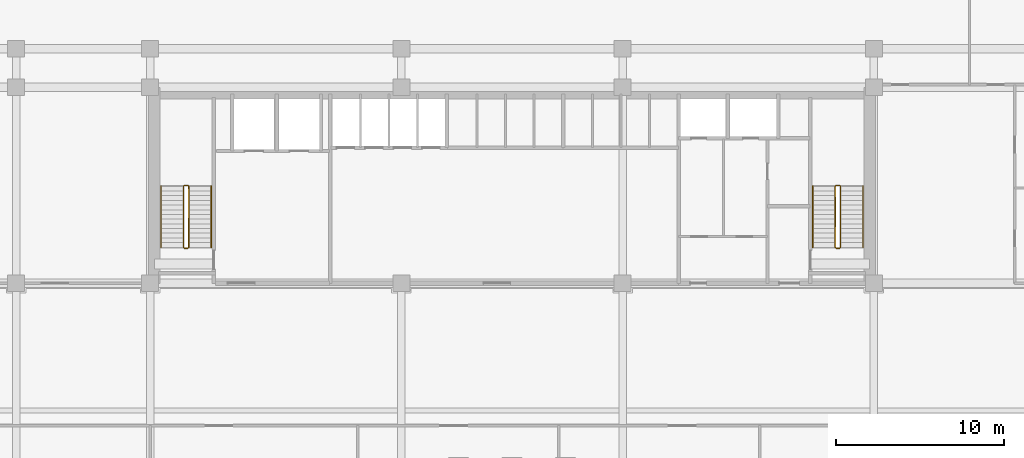
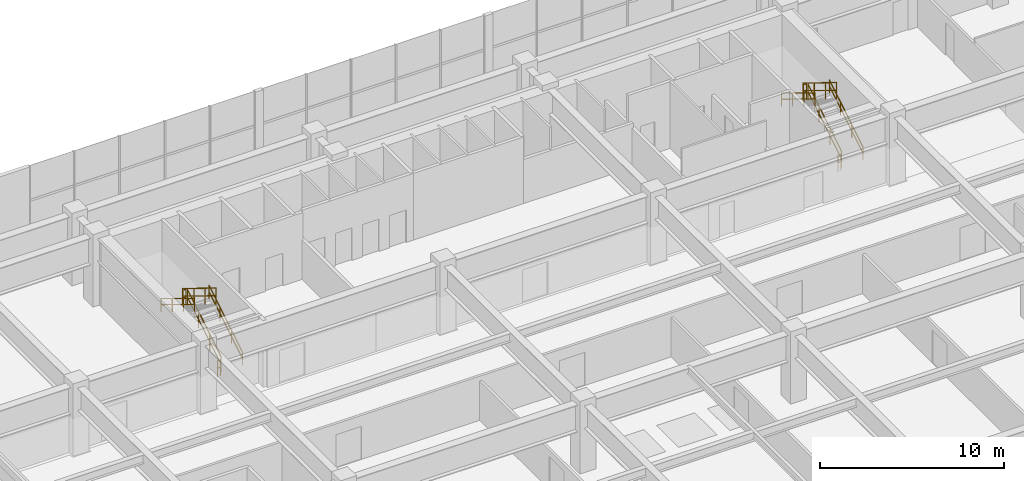
# One storey, part 16 of 17: 12 railings.
"""IFC4 building model written with IfcOpenShell, lengths in metres."""

from ifc_helpers import new_model, si_unit, direction, frame, origin, origin_2d, place, context, subcontext, project, spatial, rectangle, extrude, material, type_object, element, save


model = new_model("IFC4")

# Units and contexts
model_context = context("Model", 3, precision=1e-05, world=origin(), true_north=direction((0.0, 1.0)))
body_context = subcontext(model_context, "Body", "Model", "MODEL_VIEW")
ifc_project = project(units=[si_unit("LENGTHUNIT", "METRE"), si_unit("AREAUNIT", "SQUARE_METRE"), si_unit("VOLUMEUNIT", "CUBIC_METRE"), si_unit("PLANEANGLEUNIT", "RADIAN"), si_unit("MASSUNIT", "GRAM", prefix="KILO")], contexts=[model_context])

# Site, building, storey
site_placement = place(None, origin())
site = spatial("IfcSite", under=ifc_project, at=site_placement, CompositionType="ELEMENT")
building_placement = place(site_placement, origin())
building = spatial("IfcBuilding", under=site, at=building_placement, Name="Trelvane Seafront Commons", CompositionType="ELEMENT")
storey_placement = place(building_placement, frame((0.0, 0.0, 18.699951171875)))
storey = spatial("IfcBuildingStorey", under=building, at=storey_placement, Name="L04", CompositionType="ELEMENT", Elevation=18.699951171875)

# Railings
ifc_material = material(Name="Stainless steel balustrade", Category="steel")
railing_type_1 = type_object("IfcRailingType", Name="ARCH-SRL-GUARD", PredefinedType="GUARDRAIL", material=ifc_material)
railing_1_placement = place(storey_placement, frame((17.89990234375, 35.550048828125, 0.17138671875)))
element("IfcRailing", 1, at=railing_1_placement, inside=storey, type_object=railing_type_1, Name="L04 ST-1 stair guard 1", PredefinedType="GUARDRAIL", context=body_context, shape_type="SweptSolid", body=[
    extrude(rectangle(XDim=0.048095703125, YDim=0.048095703125, at=origin_2d()), frame((0.0, 0.0, 1.076171875), z_axis=(0.0, 0.852824790078, 0.522197163366), x_axis=(-1.0, 0.0, 0.0)), (0.0, 0.0, 1.0), 4.26806640625),
    extrude(rectangle(XDim=0.048095703125, YDim=0.048095703125, at=origin_2d()), frame((0.0, 0.0, 0.572021484375), z_axis=(0.0, 0.852824790078, 0.522197163366), x_axis=(-1.0, 0.0, 0.0)), (0.0, 0.0, 1.0), 4.26806640625),
    extrude(rectangle(XDim=0.0419921875, YDim=0.0419921875, at=origin_2d()), origin(), (0.0, 0.0, 1.0), 1.076171875),
    extrude(rectangle(XDim=0.0419921875, YDim=0.0419921875, at=origin_2d()), frame((0.0, 1.21337890625, 0.742919921875)), (0.0, 0.0, 1.0), 1.076171875),
    extrude(rectangle(XDim=0.0419921875, YDim=0.0419921875, at=origin_2d()), frame((0.0, 2.426513671875, 1.48583984375)), (0.0, 0.0, 1.0), 1.076171875),
    extrude(rectangle(XDim=0.0419921875, YDim=0.0419921875, at=origin_2d()), frame((0.0, 3.639892578125, 2.228759765625)), (0.0, 0.0, 1.0), 1.076171875),
])
railing_2_placement = place(storey_placement, frame((17.85009765625, 39.239990234375, 2.400146484375)))
element("IfcRailing", 2, at=railing_2_placement, inside=storey, type_object=railing_type_1, Name="L04 ST-1 stair guard 2", PredefinedType="GUARDRAIL", context=body_context, shape_type="SweptSolid", body=[
    extrude(rectangle(XDim=0.048095703125, YDim=0.048095703125, at=origin_2d()), frame((0.0, 0.0, 1.076171875), z_axis=(-1.0, 0.0, 0.0), x_axis=(0.0, -1.0, 0.0)), (0.0, 0.0, 1.0), 0.2001953125),
    extrude(rectangle(XDim=0.048095703125, YDim=0.048095703125, at=origin_2d()), frame((0.0, 0.0, 0.572021484375), z_axis=(-1.0, 0.0, 0.0), x_axis=(0.0, -1.0, 0.0)), (0.0, 0.0, 1.0), 0.2001953125),
    extrude(rectangle(XDim=0.0419921875, YDim=0.0419921875, at=origin_2d()), origin(), (0.0, 0.0, 1.0), 1.076171875),
    extrude(rectangle(XDim=0.0419921875, YDim=0.0419921875, at=origin_2d()), frame((-0.2001953125, 0.0, 0.0)), (0.0, 0.0, 1.0), 1.076171875),
])
railing_3_placement = place(storey_placement, frame((17.60009765625, 39.18994140625, 2.571533203125)))
element("IfcRailing", 3, at=railing_3_placement, inside=storey, type_object=railing_type_1, Name="L04 ST-1 stair guard 3", PredefinedType="GUARDRAIL", context=body_context, shape_type="SweptSolid", body=[
    extrude(rectangle(XDim=0.048095703125, YDim=0.048095703125, at=origin_2d()), frame((0.0, 0.0, 1.076171875), z_axis=(0.0, -0.852850264322, 0.5221555579), x_axis=(1.0, 0.0, 0.0)), (0.0, 0.0, 1.0), 4.267822265625),
    extrude(rectangle(XDim=0.048095703125, YDim=0.048095703125, at=origin_2d()), frame((0.0, 0.0, 0.572021484375), z_axis=(0.0, -0.852850264322, 0.5221555579), x_axis=(1.0, 0.0, 0.0)), (0.0, 0.0, 1.0), 4.267822265625),
    extrude(rectangle(XDim=0.0419921875, YDim=0.0419921875, at=origin_2d()), origin(), (0.0, 0.0, 1.0), 1.076171875),
    extrude(rectangle(XDim=0.0419921875, YDim=0.0419921875, at=origin_2d()), frame((0.0, -1.21337890625, 0.742919921875)), (0.0, 0.0, 1.0), 1.076171875),
    extrude(rectangle(XDim=0.0419921875, YDim=0.0419921875, at=origin_2d()), frame((0.0, -2.426513671875, 1.485595703125)), (0.0, 0.0, 1.0), 1.076171875),
    extrude(rectangle(XDim=0.0419921875, YDim=0.0419921875, at=origin_2d()), frame((0.0, -3.639892578125, 2.228515625)), (0.0, 0.0, 1.0), 1.076171875),
])
railing_4_placement = place(storey_placement, frame((17.85009765625, 35.5, 0.0)))
element("IfcRailing", 4, at=railing_4_placement, inside=storey, type_object=railing_type_1, Name="L04 ST-1 stair guard 4", PredefinedType="GUARDRAIL", context=body_context, shape_type="SweptSolid", body=[
    extrude(rectangle(XDim=0.048095703125, YDim=0.048095703125, at=origin_2d()), frame((0.0, 0.0, 1.076171875), z_axis=(-1.0, 0.0, 0.0), x_axis=(0.0, -1.0, 0.0)), (0.0, 0.0, 1.0), 0.2001953125),
    extrude(rectangle(XDim=0.048095703125, YDim=0.048095703125, at=origin_2d()), frame((0.0, 0.0, 0.572021484375), z_axis=(-1.0, 0.0, 0.0), x_axis=(0.0, -1.0, 0.0)), (0.0, 0.0, 1.0), 0.2001953125),
    extrude(rectangle(XDim=0.0419921875, YDim=0.0419921875, at=origin_2d()), origin(), (0.0, 0.0, 1.0), 1.076171875),
    extrude(rectangle(XDim=0.0419921875, YDim=0.0419921875, at=origin_2d()), frame((-0.2001953125, 0.0, 0.0)), (0.0, 0.0, 1.0), 1.076171875),
])
railing_5_placement = place(storey_placement, frame((56.800048828125, 35.550048828125, 0.17138671875)))
element("IfcRailing", 5, at=railing_5_placement, inside=storey, type_object=railing_type_1, Name="L04 ST-2 stair guard 1", PredefinedType="GUARDRAIL", context=body_context, shape_type="SweptSolid", body=[
    extrude(rectangle(XDim=0.048095703125, YDim=0.048095703125, at=origin_2d()), frame((0.0, 0.0, 1.076171875), z_axis=(0.0, 0.852824790078, 0.522197163366), x_axis=(-1.0, 0.0, 0.0)), (0.0, 0.0, 1.0), 4.26806640625),
    extrude(rectangle(XDim=0.048095703125, YDim=0.048095703125, at=origin_2d()), frame((0.0, 0.0, 0.572021484375), z_axis=(0.0, 0.852824790078, 0.522197163366), x_axis=(-1.0, 0.0, 0.0)), (0.0, 0.0, 1.0), 4.26806640625),
    extrude(rectangle(XDim=0.0419921875, YDim=0.0419921875, at=origin_2d()), origin(), (0.0, 0.0, 1.0), 1.076171875),
    extrude(rectangle(XDim=0.0419921875, YDim=0.0419921875, at=origin_2d()), frame((0.0, 1.21337890625, 0.742919921875)), (0.0, 0.0, 1.0), 1.076171875),
    extrude(rectangle(XDim=0.0419921875, YDim=0.0419921875, at=origin_2d()), frame((0.0, 2.426513671875, 1.48583984375)), (0.0, 0.0, 1.0), 1.076171875),
    extrude(rectangle(XDim=0.0419921875, YDim=0.0419921875, at=origin_2d()), frame((0.0, 3.639892578125, 2.228759765625)), (0.0, 0.0, 1.0), 1.076171875),
])
railing_6_placement = place(storey_placement, frame((56.75, 39.239990234375, 2.400146484375)))
element("IfcRailing", 6, at=railing_6_placement, inside=storey, type_object=railing_type_1, Name="L04 ST-2 stair guard 2", PredefinedType="GUARDRAIL", context=body_context, shape_type="SweptSolid", body=[
    extrude(rectangle(XDim=0.048095703125, YDim=0.048095703125, at=origin_2d()), frame((0.0, 0.0, 1.076171875), z_axis=(-1.0, 0.0, 0.0), x_axis=(0.0, -1.0, 0.0)), (0.0, 0.0, 1.0), 0.199951171875),
    extrude(rectangle(XDim=0.048095703125, YDim=0.048095703125, at=origin_2d()), frame((0.0, 0.0, 0.572021484375), z_axis=(-1.0, 0.0, 0.0), x_axis=(0.0, -1.0, 0.0)), (0.0, 0.0, 1.0), 0.199951171875),
    extrude(rectangle(XDim=0.0419921875, YDim=0.0419921875, at=origin_2d()), origin(), (0.0, 0.0, 1.0), 1.076171875),
    extrude(rectangle(XDim=0.0419921875, YDim=0.0419921875, at=origin_2d()), frame((-0.199951171875, 0.0, 0.0)), (0.0, 0.0, 1.0), 1.076171875),
])
railing_7_placement = place(storey_placement, frame((56.5, 39.18994140625, 2.571533203125)))
element("IfcRailing", 7, at=railing_7_placement, inside=storey, type_object=railing_type_1, Name="L04 ST-2 stair guard 3", PredefinedType="GUARDRAIL", context=body_context, shape_type="SweptSolid", body=[
    extrude(rectangle(XDim=0.048095703125, YDim=0.048095703125, at=origin_2d()), frame((0.0, 0.0, 1.076171875), z_axis=(0.0, -0.852850264322, 0.5221555579), x_axis=(1.0, 0.0, 0.0)), (0.0, 0.0, 1.0), 4.267822265625),
    extrude(rectangle(XDim=0.048095703125, YDim=0.048095703125, at=origin_2d()), frame((0.0, 0.0, 0.572021484375), z_axis=(0.0, -0.852850264322, 0.5221555579), x_axis=(1.0, 0.0, 0.0)), (0.0, 0.0, 1.0), 4.267822265625),
    extrude(rectangle(XDim=0.0419921875, YDim=0.0419921875, at=origin_2d()), origin(), (0.0, 0.0, 1.0), 1.076171875),
    extrude(rectangle(XDim=0.0419921875, YDim=0.0419921875, at=origin_2d()), frame((0.0, -1.21337890625, 0.742919921875)), (0.0, 0.0, 1.0), 1.076171875),
    extrude(rectangle(XDim=0.0419921875, YDim=0.0419921875, at=origin_2d()), frame((0.0, -2.426513671875, 1.485595703125)), (0.0, 0.0, 1.0), 1.076171875),
    extrude(rectangle(XDim=0.0419921875, YDim=0.0419921875, at=origin_2d()), frame((0.0, -3.639892578125, 2.228515625)), (0.0, 0.0, 1.0), 1.076171875),
])
railing_8_placement = place(storey_placement, frame((56.75, 35.5, 0.0)))
element("IfcRailing", 8, at=railing_8_placement, inside=storey, type_object=railing_type_1, Name="L04 ST-2 stair guard 4", PredefinedType="GUARDRAIL", context=body_context, shape_type="SweptSolid", body=[
    extrude(rectangle(XDim=0.048095703125, YDim=0.048095703125, at=origin_2d()), frame((0.0, 0.0, 1.076171875), z_axis=(-1.0, 0.0, 0.0), x_axis=(0.0, -1.0, 0.0)), (0.0, 0.0, 1.0), 0.199951171875),
    extrude(rectangle(XDim=0.048095703125, YDim=0.048095703125, at=origin_2d()), frame((0.0, 0.0, 0.572021484375), z_axis=(-1.0, 0.0, 0.0), x_axis=(0.0, -1.0, 0.0)), (0.0, 0.0, 1.0), 0.199951171875),
    extrude(rectangle(XDim=0.0419921875, YDim=0.0419921875, at=origin_2d()), origin(), (0.0, 0.0, 1.0), 1.076171875),
    extrude(rectangle(XDim=0.0419921875, YDim=0.0419921875, at=origin_2d()), frame((-0.199951171875, 0.0, 0.0)), (0.0, 0.0, 1.0), 1.076171875),
])
railing_type_2 = type_object("IfcRailingType", Name="ARCH-SRL-HAND", PredefinedType="HANDRAIL", material=ifc_material)
railing_9_placement = place(storey_placement, frame((19.25, 35.550048828125, 0.17138671875)))
element("IfcRailing", 9, at=railing_9_placement, inside=storey, type_object=railing_type_2, Name="L04 ST-1 stair handrail 1", PredefinedType="HANDRAIL", context=body_context, shape_type="SweptSolid", body=[
    extrude(rectangle(XDim=0.048095703125, YDim=0.048095703125, at=origin_2d()), frame((0.0, 0.0, 0.8759765625), z_axis=(0.0, 0.852824790078, 0.522197163366), x_axis=(-1.0, 0.0, 0.0)), (0.0, 0.0, 1.0), 4.26806640625),
    extrude(rectangle(XDim=0.048095703125, YDim=0.048095703125, at=origin_2d()), frame((0.0, 0.0, 0.468017578125), z_axis=(0.0, 0.852824790078, 0.522197163366), x_axis=(-1.0, 0.0, 0.0)), (0.0, 0.0, 1.0), 4.26806640625),
    extrude(rectangle(XDim=0.0419921875, YDim=0.0419921875, at=origin_2d()), origin(), (0.0, 0.0, 1.0), 0.8759765625),
    extrude(rectangle(XDim=0.0419921875, YDim=0.0419921875, at=origin_2d()), frame((0.0, 1.21337890625, 0.742919921875)), (0.0, 0.0, 1.0), 0.8759765625),
    extrude(rectangle(XDim=0.0419921875, YDim=0.0419921875, at=origin_2d()), frame((0.0, 2.426513671875, 1.48583984375)), (0.0, 0.0, 1.0), 0.8759765625),
    extrude(rectangle(XDim=0.0419921875, YDim=0.0419921875, at=origin_2d()), frame((0.0, 3.639892578125, 2.228759765625)), (0.0, 0.0, 1.0), 0.8759765625),
])
railing_10_placement = place(storey_placement, frame((16.25, 39.18994140625, 2.571533203125)))
element("IfcRailing", 10, at=railing_10_placement, inside=storey, type_object=railing_type_2, Name="L04 ST-1 stair handrail 2", PredefinedType="HANDRAIL", context=body_context, shape_type="SweptSolid", body=[
    extrude(rectangle(XDim=0.048095703125, YDim=0.048095703125, at=origin_2d()), frame((0.0, 0.0, 0.8759765625), z_axis=(0.0, -0.852850264322, 0.5221555579), x_axis=(1.0, 0.0, 0.0)), (0.0, 0.0, 1.0), 4.267822265625),
    extrude(rectangle(XDim=0.048095703125, YDim=0.048095703125, at=origin_2d()), frame((0.0, 0.0, 0.468017578125), z_axis=(0.0, -0.852850264322, 0.5221555579), x_axis=(1.0, 0.0, 0.0)), (0.0, 0.0, 1.0), 4.267822265625),
    extrude(rectangle(XDim=0.0419921875, YDim=0.0419921875, at=origin_2d()), origin(), (0.0, 0.0, 1.0), 0.8759765625),
    extrude(rectangle(XDim=0.0419921875, YDim=0.0419921875, at=origin_2d()), frame((0.0, -1.21337890625, 0.742919921875)), (0.0, 0.0, 1.0), 0.8759765625),
    extrude(rectangle(XDim=0.0419921875, YDim=0.0419921875, at=origin_2d()), frame((0.0, -2.426513671875, 1.485595703125)), (0.0, 0.0, 1.0), 0.8759765625),
    extrude(rectangle(XDim=0.0419921875, YDim=0.0419921875, at=origin_2d()), frame((0.0, -3.639892578125, 2.228515625)), (0.0, 0.0, 1.0), 0.8759765625),
])
railing_11_placement = place(storey_placement, frame((58.14990234375, 35.550048828125, 0.17138671875)))
element("IfcRailing", 11, at=railing_11_placement, inside=storey, type_object=railing_type_2, Name="L04 ST-2 stair handrail 1", PredefinedType="HANDRAIL", context=body_context, shape_type="SweptSolid", body=[
    extrude(rectangle(XDim=0.048095703125, YDim=0.048095703125, at=origin_2d()), frame((0.0, 0.0, 0.8759765625), z_axis=(0.0, 0.852824790078, 0.522197163366), x_axis=(-1.0, 0.0, 0.0)), (0.0, 0.0, 1.0), 4.26806640625),
    extrude(rectangle(XDim=0.048095703125, YDim=0.048095703125, at=origin_2d()), frame((0.0, 0.0, 0.468017578125), z_axis=(0.0, 0.852824790078, 0.522197163366), x_axis=(-1.0, 0.0, 0.0)), (0.0, 0.0, 1.0), 4.26806640625),
    extrude(rectangle(XDim=0.0419921875, YDim=0.0419921875, at=origin_2d()), origin(), (0.0, 0.0, 1.0), 0.8759765625),
    extrude(rectangle(XDim=0.0419921875, YDim=0.0419921875, at=origin_2d()), frame((0.0, 1.21337890625, 0.742919921875)), (0.0, 0.0, 1.0), 0.8759765625),
    extrude(rectangle(XDim=0.0419921875, YDim=0.0419921875, at=origin_2d()), frame((0.0, 2.426513671875, 1.48583984375)), (0.0, 0.0, 1.0), 0.8759765625),
    extrude(rectangle(XDim=0.0419921875, YDim=0.0419921875, at=origin_2d()), frame((0.0, 3.639892578125, 2.228759765625)), (0.0, 0.0, 1.0), 0.8759765625),
])
railing_12_placement = place(storey_placement, frame((55.14990234375, 39.18994140625, 2.571533203125)))
element("IfcRailing", 12, at=railing_12_placement, inside=storey, type_object=railing_type_2, Name="L04 ST-2 stair handrail 2", PredefinedType="HANDRAIL", context=body_context, shape_type="SweptSolid", body=[
    extrude(rectangle(XDim=0.048095703125, YDim=0.048095703125, at=origin_2d()), frame((0.0, 0.0, 0.8759765625), z_axis=(0.0, -0.852850264322, 0.5221555579), x_axis=(1.0, 0.0, 0.0)), (0.0, 0.0, 1.0), 4.267822265625),
    extrude(rectangle(XDim=0.048095703125, YDim=0.048095703125, at=origin_2d()), frame((0.0, 0.0, 0.468017578125), z_axis=(0.0, -0.852850264322, 0.5221555579), x_axis=(1.0, 0.0, 0.0)), (0.0, 0.0, 1.0), 4.267822265625),
    extrude(rectangle(XDim=0.0419921875, YDim=0.0419921875, at=origin_2d()), origin(), (0.0, 0.0, 1.0), 0.8759765625),
    extrude(rectangle(XDim=0.0419921875, YDim=0.0419921875, at=origin_2d()), frame((0.0, -1.21337890625, 0.742919921875)), (0.0, 0.0, 1.0), 0.8759765625),
    extrude(rectangle(XDim=0.0419921875, YDim=0.0419921875, at=origin_2d()), frame((0.0, -2.426513671875, 1.485595703125)), (0.0, 0.0, 1.0), 0.8759765625),
    extrude(rectangle(XDim=0.0419921875, YDim=0.0419921875, at=origin_2d()), frame((0.0, -3.639892578125, 2.228515625)), (0.0, 0.0, 1.0), 0.8759765625),
])

save(model, "model.ifc")
